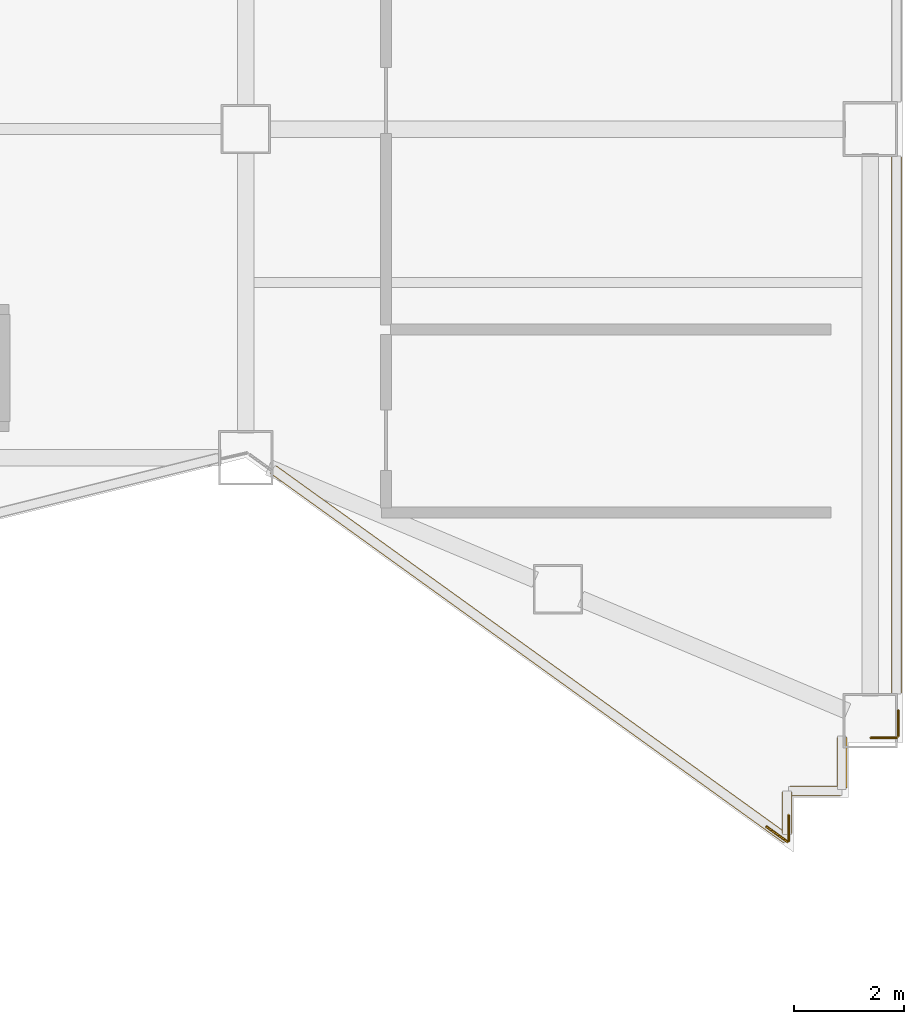
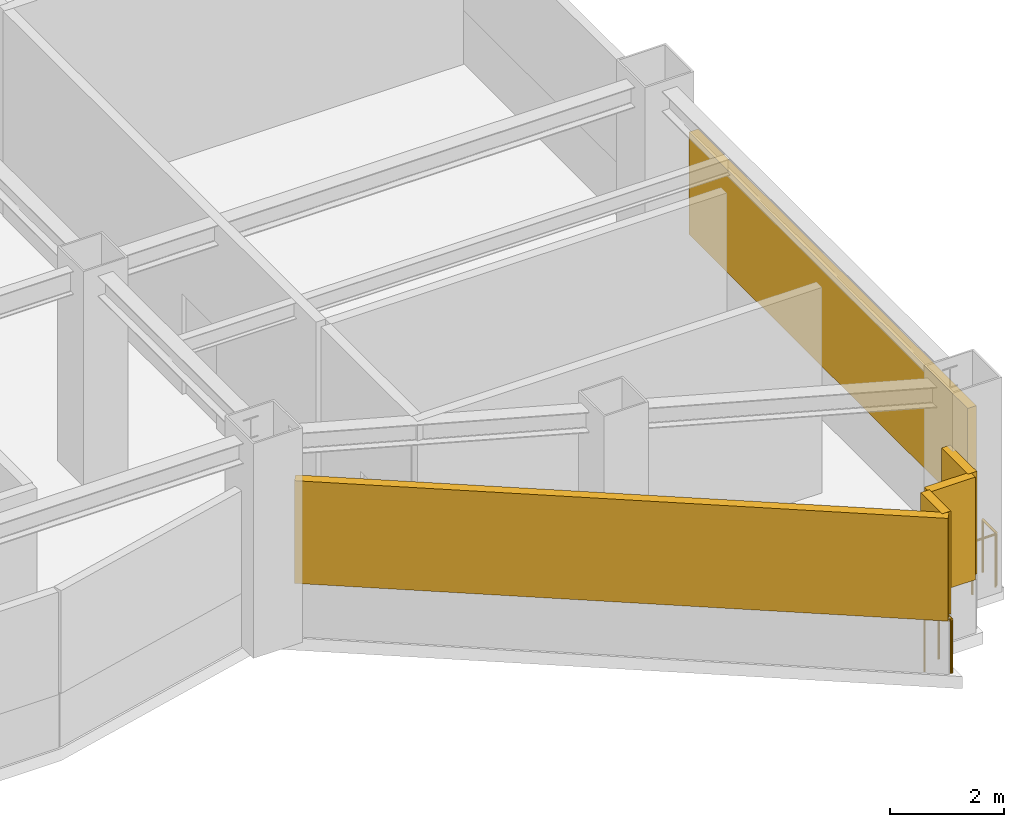
# One storey, part 8 of 12: 5 shading devices, 4 railings.
"""IFC4 building model written with IfcOpenShell, lengths in metres."""

from ifc_helpers import new_model, si_unit, direction, frame, origin, origin_2d, place, context, subcontext, project, spatial, rectangle, circle, extrude, material, type_object, element, save


model = new_model("IFC4")

# Units and contexts
model_context = context("Model", 3, precision=1e-05, world=origin(), true_north=direction((0.0, 1.0)))
body_context = subcontext(model_context, "Body", "Model", "MODEL_VIEW")
ifc_project = project(units=[si_unit("LENGTHUNIT", "METRE"), si_unit("AREAUNIT", "SQUARE_METRE"), si_unit("VOLUMEUNIT", "CUBIC_METRE"), si_unit("PLANEANGLEUNIT", "RADIAN"), si_unit("MASSUNIT", "GRAM", prefix="KILO")], contexts=[model_context])

# Site, building, storey
site_placement = place(None, origin())
site = spatial("IfcSite", under=ifc_project, at=site_placement, CompositionType="ELEMENT")
building_placement = place(site_placement, origin())
building = spatial("IfcBuilding", under=site, at=building_placement, Name="Haolan Belvedere Tower", CompositionType="ELEMENT")
storey_placement = place(building_placement, frame((0.0, 0.0, 136.39990234375)))
storey = spatial("IfcBuildingStorey", under=building, at=storey_placement, Name="L34", CompositionType="ELEMENT", Elevation=136.39990234375)

# Railings
ifc_material_1 = material(Name="Galvanised powder-coated steel guardrail", Category="steel")
railing_type = type_object("IfcRailingType", Name="RL-REF-GRD-1150", PredefinedType="GUARDRAIL", material=ifc_material_1)
railing_1_placement = place(storey_placement, frame((62.7099609375, 15.07568359375, 0.0)))
element("IfcRailing", 1, at=railing_1_placement, inside=storey, type_object=railing_type, Name="L34 refuge corner safety guardrail 4A", PredefinedType="GUARDRAIL", context=body_context, shape_type="SweptSolid", body=[
    extrude(circle(Radius=0.02392578125, at=origin_2d()), frame((0.0, 0.0, 1.1259765625), z_axis=(0.0, -1.0, 0.0), x_axis=(1.0, 0.0, 0.0)), (0.0, 0.0, 1.0), 0.469970703125),
    extrude(circle(Radius=0.02099609375, at=origin_2d()), origin(), (0.0, 0.0, 1.0), 1.101806640625),
    extrude(circle(Radius=0.02099609375, at=origin_2d()), frame((0.0, -0.469970703125, 0.0)), (0.0, 0.0, 1.0), 1.101806640625),
])
railing_2_placement = place(storey_placement, frame((62.685791015625, 14.59326171875, 0.0)))
element("IfcRailing", 2, at=railing_2_placement, inside=storey, type_object=railing_type, Name="L34 refuge corner safety guardrail 4B", PredefinedType="GUARDRAIL", context=body_context, shape_type="SweptSolid", body=[
    extrude(circle(Radius=0.02392578125, at=origin_2d()), frame((0.0, 0.0, 1.1259765625), z_axis=(-0.811622975054, 0.584181603925, 0.0), x_axis=(-0.584181603925, -0.811622975054, 0.0)), (0.0, 0.0, 1.0), 0.47021484375),
    extrude(circle(Radius=0.02099609375, at=origin_2d()), origin(), (0.0, 0.0, 1.0), 1.101806640625),
    extrude(circle(Radius=0.02099609375, at=origin_2d()), frame((-0.381591796875, 0.274658203125, 0.0)), (0.0, 0.0, 1.0), 1.101806640625),
])
railing_3_placement = place(storey_placement, frame((64.7099609375, 16.989990234375, 0.0)))
element("IfcRailing", 3, at=railing_3_placement, inside=storey, type_object=railing_type, Name="L34 refuge corner safety guardrail 5A", PredefinedType="GUARDRAIL", context=body_context, shape_type="SweptSolid", body=[
    extrude(circle(Radius=0.02392578125, at=origin_2d()), frame((0.0, 0.0, 1.1259765625), z_axis=(0.0, -1.0, 0.0), x_axis=(1.0, 0.0, 0.0)), (0.0, 0.0, 1.0), 0.469970703125),
    extrude(circle(Radius=0.02099609375, at=origin_2d()), origin(), (0.0, 0.0, 1.0), 1.101806640625),
    extrude(circle(Radius=0.02099609375, at=origin_2d()), frame((0.0, -0.469970703125, 0.0)), (0.0, 0.0, 1.0), 1.101806640625),
])
railing_4_placement = place(storey_placement, frame((64.679931640625, 16.489990234375, 0.0)))
element("IfcRailing", 4, at=railing_4_placement, inside=storey, type_object=railing_type, Name="L34 refuge corner safety guardrail 5B", PredefinedType="GUARDRAIL", context=body_context, shape_type="SweptSolid", body=[
    extrude(circle(Radius=0.02392578125, at=origin_2d()), frame((0.0, 0.0, 1.1259765625), z_axis=(-1.0, 0.0, 0.0), x_axis=(0.0, -1.0, 0.0)), (0.0, 0.0, 1.0), 0.469970703125),
    extrude(circle(Radius=0.02099609375, at=origin_2d()), origin(), (0.0, 0.0, 1.0), 1.101806640625),
    extrude(circle(Radius=0.02099609375, at=origin_2d()), frame((-0.469970703125, 0.0, 0.0)), (0.0, 0.0, 1.0), 1.101806640625),
])

# Shading devices
ifc_material_2 = material(Name="Anodised champagne-silver aluminium 6063-T6", Category="aluminium")
shading_device_type = type_object("IfcShadingDeviceType", Name="SHD-LOUV-180", PredefinedType="JALOUSIE", material=ifc_material_2)
shading_device_1_placement = place(storey_placement, frame((57.986083984375, 18.013916015625, 1.14990234375), z_axis=(0.0, 0.0, 1.0), x_axis=(0.811533191666, -0.584306322766, 0.0)))
element("IfcShadingDevice", 5, at=shading_device_1_placement, inside=storey, type_object=shading_device_type, Name="L34 refuge storm-proof louvre bank 9.1", PredefinedType="JALOUSIE", context=body_context, shape_type="SweptSolid", body=[
    extrude(rectangle(XDim=11.5283203125, YDim=0.179931640625, at=origin_2d()), origin(), (0.0, 0.0, 1.0), 2.199951171875),
])
shading_device_2_placement = place(storey_placement, frame((62.679931640625, 15.1220703125, 1.14990234375), z_axis=(0.0, 0.0, 1.0), x_axis=(0.0, 1.0, 0.0)))
element("IfcShadingDevice", 6, at=shading_device_2_placement, inside=storey, type_object=shading_device_type, Name="L34 refuge storm-proof louvre bank 10.1", PredefinedType="JALOUSIE", context=body_context, shape_type="SweptSolid", body=[
    extrude(rectangle(XDim=0.755615234375, YDim=0.179931640625, at=origin_2d()), origin(), (0.0, 0.0, 1.0), 2.199951171875),
])
for number, where, z_axis, x_axis, name in (
    (7, (63.195068359375, 15.52001953125, 1.14990234375), (0.0, 0.0, 1.0), (1.0, 0.0, 0.0), "L34 refuge storm-proof louvre bank 11.1"),
    (8, (63.679931640625, 16.034912109375, 1.14990234375), (0.0, 0.0, 1.0), (0.0, 1.0, 0.0), "L34 refuge storm-proof louvre bank 12.1"),
):
    element("IfcShadingDevice", number, at=place(storey_placement, frame(where, z_axis=z_axis, x_axis=x_axis)), inside=storey, type_object=shading_device_type, Name=name, PredefinedType="JALOUSIE", context=body_context, shape_type="SweptSolid", body=[
        extrude(rectangle(XDim=0.929931640625, YDim=0.179931640625, at=origin_2d()), origin(), (0.0, 0.0, 1.0), 2.199951171875),
    ])
shading_device_3_placement = place(storey_placement, frame((64.679931640625, 22.199951171875, 1.14990234375), z_axis=(0.0, 0.0, 1.0), x_axis=(0.0, 1.0, 0.0)))
element("IfcShadingDevice", 9, at=shading_device_3_placement, inside=storey, type_object=shading_device_type, Name="L34 refuge storm-proof louvre bank 14.1", PredefinedType="JALOUSIE", context=body_context, shape_type="SweptSolid", body=[
    extrude(rectangle(XDim=9.77587890625, YDim=0.179931640625, at=origin_2d()), origin(), (0.0, 0.0, 1.0), 2.199951171875),
])

save(model, "model.ifc")
